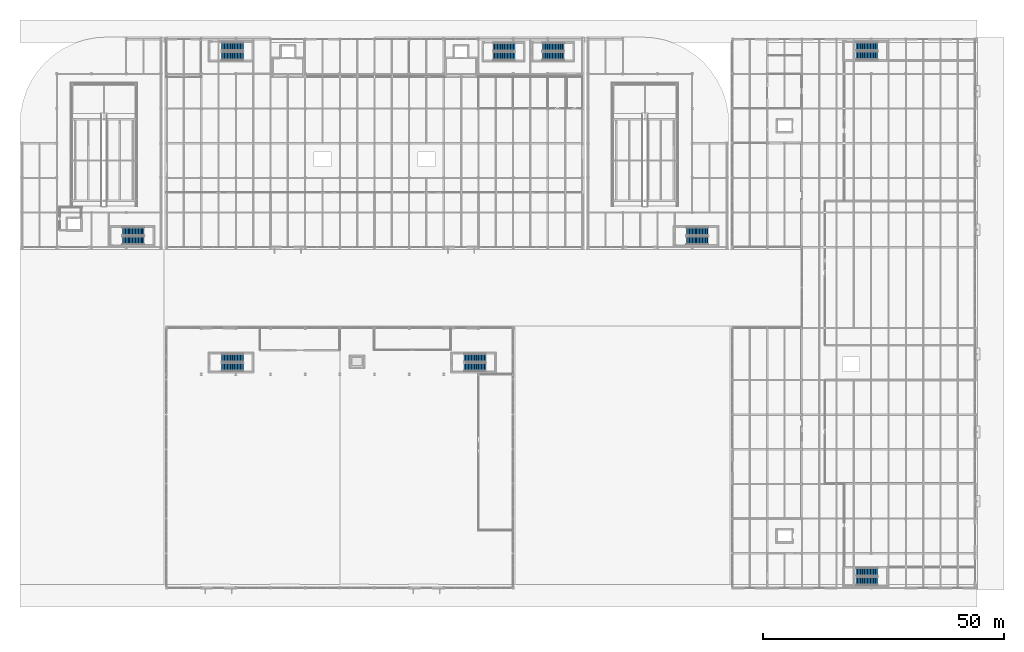
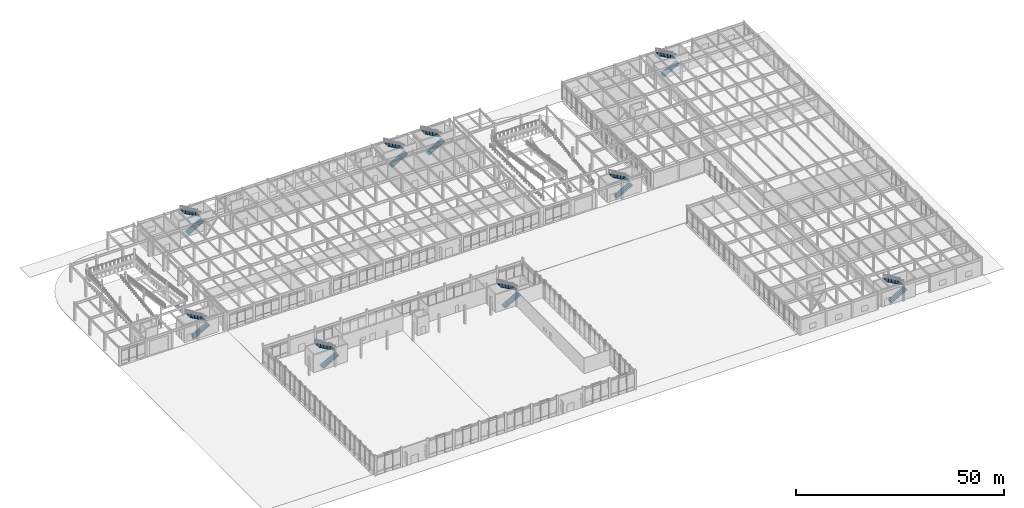
# One storey, part 80 of 104: 18 stair flights, 9 elements without a shape of their own.
"""IFC4 building model written with IfcOpenShell, lengths in metres."""

from ifc_helpers import new_model, si_unit, direction, frame, origin, place, context, subcontext, project, spatial, polyline, outline, extrude, material, layer, layer_set, type_object, element, aggregate, save


model = new_model("IFC4")

# Units and contexts
model_context = context("Model", 3, precision=1e-05, world=origin(), true_north=direction((0.0, 1.0)))
body_context = subcontext(model_context, "Body", "Model", "MODEL_VIEW")
ifc_project = project(units=[si_unit("LENGTHUNIT", "METRE"), si_unit("AREAUNIT", "SQUARE_METRE"), si_unit("VOLUMEUNIT", "CUBIC_METRE"), si_unit("PLANEANGLEUNIT", "RADIAN"), si_unit("MASSUNIT", "GRAM", prefix="KILO")], contexts=[model_context])

# Site, building, storey
site_placement = place(None, origin())
site = spatial("IfcSite", under=ifc_project, at=site_placement, CompositionType="ELEMENT")
building_placement = place(site_placement, origin())
building = spatial("IfcBuilding", under=site, at=building_placement, Name="Vaelcorin Mobility Hub", CompositionType="ELEMENT")
storey_placement = place(building_placement, origin())
storey = spatial("IfcBuildingStorey", under=building, at=storey_placement, Name="L00", CompositionType="ELEMENT", Elevation=0.0)

# Stair, stair flights
ifc_material = material(Name="Reinforced concrete f'c 45 MPa", Category="concrete")
stair_type_1 = type_object("IfcStairType", Name="STAIR-ST1", PredefinedType="HALF_TURN_STAIR", material=ifc_material)
stair_1_placement = place(storey_placement, origin())
stair_1 = element("IfcStair", 1, at=stair_1_placement, inside=storey, type_object=stair_type_1, Name="L00 Protected Exit Stair ST1", PredefinedType="HALF_TURN_STAIR")
ifc_layer_1 = layer(ifc_material, 0.2080078125)
ifc_layer_set_1 = layer_set([ifc_layer_1], Name="Reinforced concrete f'c 45 MPa")
stair_flight_type_1 = type_object("IfcStairFlightType", Name="FLT-ST1", PredefinedType="STRAIGHT", material=ifc_layer_set_1)
stair_flight_1_placement = place(storey_placement, frame((26.85009765625, 78.18994140625, 0.0), z_axis=(0.0, 0.0, 1.0), x_axis=(1.0, 0.0, 0.0)))
stair_flight_1 = element("IfcStairFlight", 2, at=stair_flight_1_placement, type_object=stair_flight_type_1, Name="ST1 flight 1", NumberOfRisers=16, NumberOfTreads=15, PredefinedType="STRAIGHT", RiserHeight=0.16875, TreadLength=0.3, context=body_context, shape_type="SweptSolid", body=[
    extrude(outline(polyline([(0.0, 0.0), (0.0, 0.168701171875), (0.300048828125, 0.168701171875), (0.300048828125, 0.33740234375), (0.60009765625, 0.33740234375), (0.60009765625, 0.50634765625), (0.89990234375, 0.50634765625), (0.89990234375, 0.675048828125), (1.199951171875, 0.675048828125), (1.199951171875, 0.84375), (1.5, 0.84375), (1.5, 1.012451171875), (1.800048828125, 1.012451171875), (1.800048828125, 1.18115234375), (2.10009765625, 1.18115234375), (2.10009765625, 1.35009765625), (2.39990234375, 1.35009765625), (2.39990234375, 1.518798828125), (2.699951171875, 1.518798828125), (2.699951171875, 1.6875), (3.0, 1.6875), (3.0, 1.856201171875), (3.300048828125, 1.856201171875), (3.300048828125, 2.02490234375), (3.60009765625, 2.02490234375), (3.60009765625, 2.19384765625), (3.89990234375, 2.19384765625), (3.89990234375, 2.362548828125), (4.199951171875, 2.362548828125), (4.199951171875, 2.53125), (4.5, 2.53125), (4.5, 2.699951171875), (4.5, 2.34765625), (0.326171875, 0.0), (0.0, 0.0)])), frame((0.0, 0.83984375, 0.0), z_axis=(0.0, -1.0, 0.0), x_axis=(1.0, 0.0, 0.0)), (0.0, 0.0, 1.0), 1.679931640625),
])
stair_flight_2_placement = place(storey_placement, frame((31.35009765625, 80.070068359375, 2.699951171875), z_axis=(0.0, 0.0, 1.0), x_axis=(-1.0, 0.0, 0.0)))
stair_flight_2 = element("IfcStairFlight", 3, at=stair_flight_2_placement, type_object=stair_flight_type_1, Name="ST1 flight 2", NumberOfRisers=16, NumberOfTreads=15, PredefinedType="STRAIGHT", RiserHeight=0.16875, TreadLength=0.3, context=body_context, shape_type="SweptSolid", body=[
    extrude(outline(polyline([(0.0, 0.0), (0.0, 0.168701171875), (0.300048828125, 0.168701171875), (0.300048828125, 0.33740234375), (0.60009765625, 0.33740234375), (0.60009765625, 0.50634765625), (0.89990234375, 0.50634765625), (0.89990234375, 0.675048828125), (1.199951171875, 0.675048828125), (1.199951171875, 0.84375), (1.5, 0.84375), (1.5, 1.012451171875), (1.800048828125, 1.012451171875), (1.800048828125, 1.18115234375), (2.10009765625, 1.18115234375), (2.10009765625, 1.35009765625), (2.39990234375, 1.35009765625), (2.39990234375, 1.518798828125), (2.699951171875, 1.518798828125), (2.699951171875, 1.6875), (3.0, 1.6875), (3.0, 1.856201171875), (3.300048828125, 1.856201171875), (3.300048828125, 2.02490234375), (3.60009765625, 2.02490234375), (3.60009765625, 2.19384765625), (3.89990234375, 2.19384765625), (3.89990234375, 2.362548828125), (4.199951171875, 2.362548828125), (4.199951171875, 2.53125), (4.5, 2.53125), (4.5, 2.699951171875), (4.5, 2.34765625), (0.326171875, 0.0), (0.0, 0.0)])), frame((0.0, 0.83984375, 0.0), z_axis=(0.0, -1.0, 0.0), x_axis=(1.0, 0.0, 0.0)), (0.0, 0.0, 1.0), 1.679931640625),
])
aggregate(stair_1, [stair_flight_1, stair_flight_2])

stair_type_2 = type_object("IfcStairType", Name="STAIR-ST2", PredefinedType="HALF_TURN_STAIR", material=ifc_material)
stair_2_placement = place(storey_placement, origin())
stair_2 = element("IfcStair", 4, at=stair_2_placement, inside=storey, type_object=stair_type_2, Name="L00 Protected Exit Stair ST2", PredefinedType="HALF_TURN_STAIR")
ifc_layer_2 = layer(ifc_material, 0.216064453125)
ifc_layer_set_2 = layer_set([ifc_layer_2], Name="Reinforced concrete f'c 45 MPa")
stair_flight_type_2 = type_object("IfcStairFlightType", Name="FLT-ST2", PredefinedType="STRAIGHT", material=ifc_layer_set_2)
stair_flight_3_placement = place(storey_placement, frame((144.050048828125, 78.18994140625, 0.0), z_axis=(0.0, 0.0, 1.0), x_axis=(1.0, 0.0, 0.0)))
stair_flight_3 = element("IfcStairFlight", 5, at=stair_flight_3_placement, type_object=stair_flight_type_2, Name="ST2 flight 1", NumberOfRisers=16, NumberOfTreads=15, PredefinedType="STRAIGHT", RiserHeight=0.16875, TreadLength=0.3, context=body_context, shape_type="SweptSolid", body=[
    extrude(outline(polyline([(0.0, 0.0), (0.0, 0.168701171875), (0.300048828125, 0.168701171875), (0.300048828125, 0.33740234375), (0.60009765625, 0.33740234375), (0.60009765625, 0.50634765625), (0.89990234375, 0.50634765625), (0.89990234375, 0.675048828125), (1.199951171875, 0.675048828125), (1.199951171875, 0.84375), (1.5, 0.84375), (1.5, 1.012451171875), (1.800048828125, 1.012451171875), (1.800048828125, 1.18115234375), (2.10009765625, 1.18115234375), (2.10009765625, 1.35009765625), (2.39990234375, 1.35009765625), (2.39990234375, 1.518798828125), (2.699951171875, 1.518798828125), (2.699951171875, 1.6875), (3.0, 1.6875), (3.0, 1.856201171875), (3.300048828125, 1.856201171875), (3.300048828125, 2.02490234375), (3.60009765625, 2.02490234375), (3.60009765625, 2.19384765625), (3.89990234375, 2.19384765625), (3.89990234375, 2.362548828125), (4.199951171875, 2.362548828125), (4.199951171875, 2.53125), (4.5, 2.53125), (4.5, 2.699951171875), (4.5, 2.34765625), (0.326171875, 0.0), (0.0, 0.0)])), frame((0.0, 0.83984375, 0.0), z_axis=(0.0, -1.0, 0.0), x_axis=(1.0, 0.0, 0.0)), (0.0, 0.0, 1.0), 1.679931640625),
])
stair_flight_4_placement = place(storey_placement, frame((148.550048828125, 80.070068359375, 2.699951171875), z_axis=(0.0, 0.0, 1.0), x_axis=(-1.0, 0.0, 0.0)))
stair_flight_4 = element("IfcStairFlight", 6, at=stair_flight_4_placement, type_object=stair_flight_type_2, Name="ST2 flight 2", NumberOfRisers=16, NumberOfTreads=15, PredefinedType="STRAIGHT", RiserHeight=0.16875, TreadLength=0.3, context=body_context, shape_type="SweptSolid", body=[
    extrude(outline(polyline([(0.0, 0.0), (0.0, 0.168701171875), (0.300048828125, 0.168701171875), (0.300048828125, 0.33740234375), (0.60009765625, 0.33740234375), (0.60009765625, 0.50634765625), (0.89990234375, 0.50634765625), (0.89990234375, 0.675048828125), (1.199951171875, 0.675048828125), (1.199951171875, 0.84375), (1.5, 0.84375), (1.5, 1.012451171875), (1.800048828125, 1.012451171875), (1.800048828125, 1.18115234375), (2.10009765625, 1.18115234375), (2.10009765625, 1.35009765625), (2.39990234375, 1.35009765625), (2.39990234375, 1.518798828125), (2.699951171875, 1.518798828125), (2.699951171875, 1.6875), (3.0, 1.6875), (3.0, 1.856201171875), (3.300048828125, 1.856201171875), (3.300048828125, 2.02490234375), (3.60009765625, 2.02490234375), (3.60009765625, 2.19384765625), (3.89990234375, 2.19384765625), (3.89990234375, 2.362548828125), (4.199951171875, 2.362548828125), (4.199951171875, 2.53125), (4.5, 2.53125), (4.5, 2.699951171875), (4.5, 2.34765625), (0.326171875, 0.0), (0.0, 0.0)])), frame((0.0, 0.83984375, 0.0), z_axis=(0.0, -1.0, 0.0), x_axis=(1.0, 0.0, 0.0)), (0.0, 0.0, 1.0), 1.679931640625),
])
aggregate(stair_2, [stair_flight_3, stair_flight_4])

stair_type_3 = type_object("IfcStairType", Name="STAIR-ST3", PredefinedType="HALF_TURN_STAIR", material=ifc_material)
stair_3_placement = place(storey_placement, origin())
stair_3 = element("IfcStair", 7, at=stair_3_placement, inside=storey, type_object=stair_type_3, Name="L00 Protected Exit Stair ST3", PredefinedType="HALF_TURN_STAIR")
ifc_layer_3 = layer(ifc_material, 0.22412109375)
ifc_layer_set_3 = layer_set([ifc_layer_3], Name="Reinforced concrete f'c 45 MPa")
stair_flight_type_3 = type_object("IfcStairFlightType", Name="FLT-ST3", PredefinedType="STRAIGHT", material=ifc_layer_set_3)
stair_flight_5_placement = place(storey_placement, frame((47.449951171875, 116.52001953125, 0.0), z_axis=(0.0, 0.0, 1.0), x_axis=(1.0, 0.0, 0.0)))
stair_flight_5 = element("IfcStairFlight", 8, at=stair_flight_5_placement, type_object=stair_flight_type_3, Name="ST3 flight 1", NumberOfRisers=16, NumberOfTreads=15, PredefinedType="STRAIGHT", RiserHeight=0.16875, TreadLength=0.3, context=body_context, shape_type="SweptSolid", body=[
    extrude(outline(polyline([(0.0, 0.0), (0.0, 0.168701171875), (0.300048828125, 0.168701171875), (0.300048828125, 0.33740234375), (0.60009765625, 0.33740234375), (0.60009765625, 0.50634765625), (0.89990234375, 0.50634765625), (0.89990234375, 0.675048828125), (1.199951171875, 0.675048828125), (1.199951171875, 0.84375), (1.5, 0.84375), (1.5, 1.012451171875), (1.800048828125, 1.012451171875), (1.800048828125, 1.18115234375), (2.10009765625, 1.18115234375), (2.10009765625, 1.35009765625), (2.39990234375, 1.35009765625), (2.39990234375, 1.518798828125), (2.699951171875, 1.518798828125), (2.699951171875, 1.6875), (3.0, 1.6875), (3.0, 1.856201171875), (3.300048828125, 1.856201171875), (3.300048828125, 2.02490234375), (3.60009765625, 2.02490234375), (3.60009765625, 2.19384765625), (3.89990234375, 2.19384765625), (3.89990234375, 2.362548828125), (4.199951171875, 2.362548828125), (4.199951171875, 2.53125), (4.5, 2.53125), (4.5, 2.699951171875), (4.5, 2.34765625), (0.326171875, 0.0), (0.0, 0.0)])), frame((0.0, 0.8701171875, 0.0), z_axis=(0.0, -1.0, 0.0), x_axis=(1.0, 0.0, 0.0)), (0.0, 0.0, 1.0), 1.739990234375),
])
stair_flight_6_placement = place(storey_placement, frame((51.949951171875, 118.4599609375, 2.699951171875), z_axis=(0.0, 0.0, 1.0), x_axis=(-1.0, 0.0, 0.0)))
stair_flight_6 = element("IfcStairFlight", 9, at=stair_flight_6_placement, type_object=stair_flight_type_3, Name="ST3 flight 2", NumberOfRisers=16, NumberOfTreads=15, PredefinedType="STRAIGHT", RiserHeight=0.16875, TreadLength=0.3, context=body_context, shape_type="SweptSolid", body=[
    extrude(outline(polyline([(0.0, 0.0), (0.0, 0.168701171875), (0.300048828125, 0.168701171875), (0.300048828125, 0.33740234375), (0.60009765625, 0.33740234375), (0.60009765625, 0.50634765625), (0.89990234375, 0.50634765625), (0.89990234375, 0.675048828125), (1.199951171875, 0.675048828125), (1.199951171875, 0.84375), (1.5, 0.84375), (1.5, 1.012451171875), (1.800048828125, 1.012451171875), (1.800048828125, 1.18115234375), (2.10009765625, 1.18115234375), (2.10009765625, 1.35009765625), (2.39990234375, 1.35009765625), (2.39990234375, 1.518798828125), (2.699951171875, 1.518798828125), (2.699951171875, 1.6875), (3.0, 1.6875), (3.0, 1.856201171875), (3.300048828125, 1.856201171875), (3.300048828125, 2.02490234375), (3.60009765625, 2.02490234375), (3.60009765625, 2.19384765625), (3.89990234375, 2.19384765625), (3.89990234375, 2.362548828125), (4.199951171875, 2.362548828125), (4.199951171875, 2.53125), (4.5, 2.53125), (4.5, 2.699951171875), (4.5, 2.34765625), (0.326171875, 0.0), (0.0, 0.0)])), frame((0.0, 0.8701171875, 0.0), z_axis=(0.0, -1.0, 0.0), x_axis=(1.0, 0.0, 0.0)), (0.0, 0.0, 1.0), 1.739990234375),
])
aggregate(stair_3, [stair_flight_5, stair_flight_6])

stair_type_4 = type_object("IfcStairType", Name="STAIR-ST4", PredefinedType="HALF_TURN_STAIR", material=ifc_material)
stair_4_placement = place(storey_placement, origin())
stair_4 = element("IfcStair", 10, at=stair_4_placement, inside=storey, type_object=stair_type_4, Name="L00 Protected Exit Stair ST4", PredefinedType="HALF_TURN_STAIR")
ifc_layer_4 = layer(ifc_material, 0.23193359375)
ifc_layer_set_4 = layer_set([ifc_layer_4], Name="Reinforced concrete f'c 45 MPa")
stair_flight_type_4 = type_object("IfcStairFlightType", Name="FLT-ST4", PredefinedType="STRAIGHT", material=ifc_layer_set_4)
stair_flight_7_placement = place(storey_placement, frame((103.85009765625, 116.489990234375, 0.0), z_axis=(0.0, 0.0, 1.0), x_axis=(1.0, 0.0, 0.0)))
stair_flight_7 = element("IfcStairFlight", 11, at=stair_flight_7_placement, type_object=stair_flight_type_4, Name="ST4 flight 1", NumberOfRisers=16, NumberOfTreads=15, PredefinedType="STRAIGHT", RiserHeight=0.16875, TreadLength=0.3, context=body_context, shape_type="SweptSolid", body=[
    extrude(outline(polyline([(0.0, 0.0), (0.0, 0.168701171875), (0.300048828125, 0.168701171875), (0.300048828125, 0.33740234375), (0.60009765625, 0.33740234375), (0.60009765625, 0.50634765625), (0.89990234375, 0.50634765625), (0.89990234375, 0.675048828125), (1.199951171875, 0.675048828125), (1.199951171875, 0.84375), (1.5, 0.84375), (1.5, 1.012451171875), (1.800048828125, 1.012451171875), (1.800048828125, 1.18115234375), (2.10009765625, 1.18115234375), (2.10009765625, 1.35009765625), (2.39990234375, 1.35009765625), (2.39990234375, 1.518798828125), (2.699951171875, 1.518798828125), (2.699951171875, 1.6875), (3.0, 1.6875), (3.0, 1.856201171875), (3.300048828125, 1.856201171875), (3.300048828125, 2.02490234375), (3.60009765625, 2.02490234375), (3.60009765625, 2.19384765625), (3.89990234375, 2.19384765625), (3.89990234375, 2.362548828125), (4.199951171875, 2.362548828125), (4.199951171875, 2.53125), (4.5, 2.53125), (4.5, 2.699951171875), (4.5, 2.34765625), (0.326171875, 0.0), (0.0, 0.0)])), frame((0.0, 0.83984375, 0.0), z_axis=(0.0, -1.0, 0.0), x_axis=(1.0, 0.0, 0.0)), (0.0, 0.0, 1.0), 1.679931640625),
])
stair_flight_8_placement = place(storey_placement, frame((108.35009765625, 118.3701171875, 2.699951171875), z_axis=(0.0, 0.0, 1.0), x_axis=(-1.0, 0.0, 0.0)))
stair_flight_8 = element("IfcStairFlight", 12, at=stair_flight_8_placement, type_object=stair_flight_type_4, Name="ST4 flight 2", NumberOfRisers=16, NumberOfTreads=15, PredefinedType="STRAIGHT", RiserHeight=0.16875, TreadLength=0.3, context=body_context, shape_type="SweptSolid", body=[
    extrude(outline(polyline([(0.0, 0.0), (0.0, 0.168701171875), (0.300048828125, 0.168701171875), (0.300048828125, 0.33740234375), (0.60009765625, 0.33740234375), (0.60009765625, 0.50634765625), (0.89990234375, 0.50634765625), (0.89990234375, 0.675048828125), (1.199951171875, 0.675048828125), (1.199951171875, 0.84375), (1.5, 0.84375), (1.5, 1.012451171875), (1.800048828125, 1.012451171875), (1.800048828125, 1.18115234375), (2.10009765625, 1.18115234375), (2.10009765625, 1.35009765625), (2.39990234375, 1.35009765625), (2.39990234375, 1.518798828125), (2.699951171875, 1.518798828125), (2.699951171875, 1.6875), (3.0, 1.6875), (3.0, 1.856201171875), (3.300048828125, 1.856201171875), (3.300048828125, 2.02490234375), (3.60009765625, 2.02490234375), (3.60009765625, 2.19384765625), (3.89990234375, 2.19384765625), (3.89990234375, 2.362548828125), (4.199951171875, 2.362548828125), (4.199951171875, 2.53125), (4.5, 2.53125), (4.5, 2.699951171875), (4.5, 2.34765625), (0.326171875, 0.0), (0.0, 0.0)])), frame((0.0, 0.83984375, 0.0), z_axis=(0.0, -1.0, 0.0), x_axis=(1.0, 0.0, 0.0)), (0.0, 0.0, 1.0), 1.679931640625),
])
aggregate(stair_4, [stair_flight_7, stair_flight_8])

stair_type_5 = type_object("IfcStairType", Name="STAIR-ST5", PredefinedType="HALF_TURN_STAIR", material=ifc_material)
stair_5_placement = place(storey_placement, origin())
stair_5 = element("IfcStair", 13, at=stair_5_placement, inside=storey, type_object=stair_type_5, Name="L00 Protected Exit Stair ST5", PredefinedType="HALF_TURN_STAIR")
ifc_layer_5 = layer(ifc_material, 0.239990234375)
ifc_layer_set_5 = layer_set([ifc_layer_5], Name="Reinforced concrete f'c 45 MPa")
stair_flight_type_5 = type_object("IfcStairFlightType", Name="FLT-ST5", PredefinedType="STRAIGHT", material=ifc_layer_set_5)
stair_flight_9_placement = place(storey_placement, frame((179.25, 7.39990234375, 0.0), z_axis=(0.0, 0.0, 1.0), x_axis=(1.0, 0.0, 0.0)))
stair_flight_9 = element("IfcStairFlight", 14, at=stair_flight_9_placement, type_object=stair_flight_type_5, Name="ST5 flight 1", NumberOfRisers=16, NumberOfTreads=15, PredefinedType="STRAIGHT", RiserHeight=0.16875, TreadLength=0.3, context=body_context, shape_type="SweptSolid", body=[
    extrude(outline(polyline([(0.0, 0.0), (0.0, 0.168701171875), (0.300048828125, 0.168701171875), (0.300048828125, 0.33740234375), (0.60009765625, 0.33740234375), (0.60009765625, 0.50634765625), (0.89990234375, 0.50634765625), (0.89990234375, 0.675048828125), (1.199951171875, 0.675048828125), (1.199951171875, 0.84375), (1.5, 0.84375), (1.5, 1.012451171875), (1.800048828125, 1.012451171875), (1.800048828125, 1.18115234375), (2.10009765625, 1.18115234375), (2.10009765625, 1.35009765625), (2.39990234375, 1.35009765625), (2.39990234375, 1.518798828125), (2.699951171875, 1.518798828125), (2.699951171875, 1.6875), (3.0, 1.6875), (3.0, 1.856201171875), (3.300048828125, 1.856201171875), (3.300048828125, 2.02490234375), (3.60009765625, 2.02490234375), (3.60009765625, 2.19384765625), (3.89990234375, 2.19384765625), (3.89990234375, 2.362548828125), (4.199951171875, 2.362548828125), (4.199951171875, 2.53125), (4.5, 2.53125), (4.5, 2.699951171875), (4.5, 2.34765625), (0.326171875, 0.0), (0.0, 0.0)])), frame((0.0, 0.85009765625, 0.0), z_axis=(0.0, -1.0, 0.0), x_axis=(1.0, 0.0, 0.0)), (0.0, 0.0, 1.0), 1.699951171875),
])
stair_flight_10_placement = place(storey_placement, frame((183.75, 9.300048828125, 2.699951171875), z_axis=(0.0, 0.0, 1.0), x_axis=(-1.0, 0.0, 0.0)))
stair_flight_10 = element("IfcStairFlight", 15, at=stair_flight_10_placement, type_object=stair_flight_type_5, Name="ST5 flight 2", NumberOfRisers=16, NumberOfTreads=15, PredefinedType="STRAIGHT", RiserHeight=0.16875, TreadLength=0.3, context=body_context, shape_type="SweptSolid", body=[
    extrude(outline(polyline([(0.0, 0.0), (0.0, 0.168701171875), (0.300048828125, 0.168701171875), (0.300048828125, 0.33740234375), (0.60009765625, 0.33740234375), (0.60009765625, 0.50634765625), (0.89990234375, 0.50634765625), (0.89990234375, 0.675048828125), (1.199951171875, 0.675048828125), (1.199951171875, 0.84375), (1.5, 0.84375), (1.5, 1.012451171875), (1.800048828125, 1.012451171875), (1.800048828125, 1.18115234375), (2.10009765625, 1.18115234375), (2.10009765625, 1.35009765625), (2.39990234375, 1.35009765625), (2.39990234375, 1.518798828125), (2.699951171875, 1.518798828125), (2.699951171875, 1.6875), (3.0, 1.6875), (3.0, 1.856201171875), (3.300048828125, 1.856201171875), (3.300048828125, 2.02490234375), (3.60009765625, 2.02490234375), (3.60009765625, 2.19384765625), (3.89990234375, 2.19384765625), (3.89990234375, 2.362548828125), (4.199951171875, 2.362548828125), (4.199951171875, 2.53125), (4.5, 2.53125), (4.5, 2.699951171875), (4.5, 2.34765625), (0.326171875, 0.0), (0.0, 0.0)])), frame((0.0, 0.85009765625, 0.0), z_axis=(0.0, -1.0, 0.0), x_axis=(1.0, 0.0, 0.0)), (0.0, 0.0, 1.0), 1.699951171875),
])
aggregate(stair_5, [stair_flight_9, stair_flight_10])

stair_type_6 = type_object("IfcStairType", Name="STAIR-ST6", PredefinedType="HALF_TURN_STAIR", material=ifc_material)
stair_6_placement = place(storey_placement, origin())
stair_6 = element("IfcStair", 16, at=stair_6_placement, inside=storey, type_object=stair_type_6, Name="L00 Protected Exit Stair ST6", PredefinedType="HALF_TURN_STAIR")
ifc_layer_6 = layer(ifc_material, 0.248046875)
ifc_layer_set_6 = layer_set([ifc_layer_6], Name="Reinforced concrete f'c 45 MPa")
stair_flight_type_6 = type_object("IfcStairFlightType", Name="FLT-ST6", PredefinedType="STRAIGHT", material=ifc_layer_set_6)
stair_flight_11_placement = place(storey_placement, frame((179.25, 116.60009765625, 0.0), z_axis=(0.0, 0.0, 1.0), x_axis=(1.0, 0.0, 0.0)))
stair_flight_11 = element("IfcStairFlight", 17, at=stair_flight_11_placement, type_object=stair_flight_type_6, Name="ST6 flight 1", NumberOfRisers=16, NumberOfTreads=15, PredefinedType="STRAIGHT", RiserHeight=0.16875, TreadLength=0.3, context=body_context, shape_type="SweptSolid", body=[
    extrude(outline(polyline([(0.0, 0.0), (0.0, 0.168701171875), (0.300048828125, 0.168701171875), (0.300048828125, 0.33740234375), (0.60009765625, 0.33740234375), (0.60009765625, 0.50634765625), (0.89990234375, 0.50634765625), (0.89990234375, 0.675048828125), (1.199951171875, 0.675048828125), (1.199951171875, 0.84375), (1.5, 0.84375), (1.5, 1.012451171875), (1.800048828125, 1.012451171875), (1.800048828125, 1.18115234375), (2.10009765625, 1.18115234375), (2.10009765625, 1.35009765625), (2.39990234375, 1.35009765625), (2.39990234375, 1.518798828125), (2.699951171875, 1.518798828125), (2.699951171875, 1.6875), (3.0, 1.6875), (3.0, 1.856201171875), (3.300048828125, 1.856201171875), (3.300048828125, 2.02490234375), (3.60009765625, 2.02490234375), (3.60009765625, 2.19384765625), (3.89990234375, 2.19384765625), (3.89990234375, 2.362548828125), (4.199951171875, 2.362548828125), (4.199951171875, 2.53125), (4.5, 2.53125), (4.5, 2.699951171875), (4.5, 2.34765625), (0.326171875, 0.0), (0.0, 0.0)])), frame((0.0, 0.85009765625, 0.0), z_axis=(0.0, -1.0, 0.0), x_axis=(1.0, 0.0, 0.0)), (0.0, 0.0, 1.0), 1.699951171875),
])
stair_flight_12_placement = place(storey_placement, frame((183.75, 118.5, 2.699951171875), z_axis=(0.0, 0.0, 1.0), x_axis=(-1.0, 0.0, 0.0)))
stair_flight_12 = element("IfcStairFlight", 18, at=stair_flight_12_placement, type_object=stair_flight_type_6, Name="ST6 flight 2", NumberOfRisers=16, NumberOfTreads=15, PredefinedType="STRAIGHT", RiserHeight=0.16875, TreadLength=0.3, context=body_context, shape_type="SweptSolid", body=[
    extrude(outline(polyline([(0.0, 0.0), (0.0, 0.168701171875), (0.300048828125, 0.168701171875), (0.300048828125, 0.33740234375), (0.60009765625, 0.33740234375), (0.60009765625, 0.50634765625), (0.89990234375, 0.50634765625), (0.89990234375, 0.675048828125), (1.199951171875, 0.675048828125), (1.199951171875, 0.84375), (1.5, 0.84375), (1.5, 1.012451171875), (1.800048828125, 1.012451171875), (1.800048828125, 1.18115234375), (2.10009765625, 1.18115234375), (2.10009765625, 1.35009765625), (2.39990234375, 1.35009765625), (2.39990234375, 1.518798828125), (2.699951171875, 1.518798828125), (2.699951171875, 1.6875), (3.0, 1.6875), (3.0, 1.856201171875), (3.300048828125, 1.856201171875), (3.300048828125, 2.02490234375), (3.60009765625, 2.02490234375), (3.60009765625, 2.19384765625), (3.89990234375, 2.19384765625), (3.89990234375, 2.362548828125), (4.199951171875, 2.362548828125), (4.199951171875, 2.53125), (4.5, 2.53125), (4.5, 2.699951171875), (4.5, 2.34765625), (0.326171875, 0.0), (0.0, 0.0)])), frame((0.0, 0.85009765625, 0.0), z_axis=(0.0, -1.0, 0.0), x_axis=(1.0, 0.0, 0.0)), (0.0, 0.0, 1.0), 1.699951171875),
])
aggregate(stair_6, [stair_flight_11, stair_flight_12])

stair_type_7 = type_object("IfcStairType", Name="STAIR-ST7", PredefinedType="HALF_TURN_STAIR", material=ifc_material)
stair_7_placement = place(storey_placement, origin())
stair_7 = element("IfcStair", 19, at=stair_7_placement, inside=storey, type_object=stair_type_7, Name="L00 Protected Exit Stair ST7", PredefinedType="HALF_TURN_STAIR")
ifc_layer_7 = layer(ifc_material, 0.256103515625)
ifc_layer_set_7 = layer_set([ifc_layer_7], Name="Reinforced concrete f'c 45 MPa")
stair_flight_type_7 = type_object("IfcStairFlightType", Name="FLT-ST7", PredefinedType="STRAIGHT", material=ifc_layer_set_7)
stair_flight_13_placement = place(storey_placement, frame((47.449951171875, 51.860107421875, 0.0), z_axis=(0.0, 0.0, 1.0), x_axis=(1.0, 0.0, 0.0)))
stair_flight_13 = element("IfcStairFlight", 20, at=stair_flight_13_placement, type_object=stair_flight_type_7, Name="ST7 flight 1", NumberOfRisers=16, NumberOfTreads=15, PredefinedType="STRAIGHT", RiserHeight=0.16875, TreadLength=0.3, context=body_context, shape_type="SweptSolid", body=[
    extrude(outline(polyline([(0.0, 0.0), (0.0, 0.168701171875), (0.300048828125, 0.168701171875), (0.300048828125, 0.33740234375), (0.60009765625, 0.33740234375), (0.60009765625, 0.50634765625), (0.89990234375, 0.50634765625), (0.89990234375, 0.675048828125), (1.199951171875, 0.675048828125), (1.199951171875, 0.84375), (1.5, 0.84375), (1.5, 1.012451171875), (1.800048828125, 1.012451171875), (1.800048828125, 1.18115234375), (2.10009765625, 1.18115234375), (2.10009765625, 1.35009765625), (2.39990234375, 1.35009765625), (2.39990234375, 1.518798828125), (2.699951171875, 1.518798828125), (2.699951171875, 1.6875), (3.0, 1.6875), (3.0, 1.856201171875), (3.300048828125, 1.856201171875), (3.300048828125, 2.02490234375), (3.60009765625, 2.02490234375), (3.60009765625, 2.19384765625), (3.89990234375, 2.19384765625), (3.89990234375, 2.362548828125), (4.199951171875, 2.362548828125), (4.199951171875, 2.53125), (4.5, 2.53125), (4.5, 2.699951171875), (4.5, 2.34765625), (0.326171875, 0.0), (0.0, 0.0)])), frame((0.0, 0.85986328125, 0.0), z_axis=(0.0, -1.0, 0.0), x_axis=(1.0, 0.0, 0.0)), (0.0, 0.0, 1.0), 1.719970703125),
])
stair_flight_14_placement = place(storey_placement, frame((51.949951171875, 53.780029296875, 2.699951171875), z_axis=(0.0, 0.0, 1.0), x_axis=(-1.0, 0.0, 0.0)))
stair_flight_14 = element("IfcStairFlight", 21, at=stair_flight_14_placement, type_object=stair_flight_type_7, Name="ST7 flight 2", NumberOfRisers=16, NumberOfTreads=15, PredefinedType="STRAIGHT", RiserHeight=0.16875, TreadLength=0.3, context=body_context, shape_type="SweptSolid", body=[
    extrude(outline(polyline([(0.0, 0.0), (0.0, 0.168701171875), (0.300048828125, 0.168701171875), (0.300048828125, 0.33740234375), (0.60009765625, 0.33740234375), (0.60009765625, 0.50634765625), (0.89990234375, 0.50634765625), (0.89990234375, 0.675048828125), (1.199951171875, 0.675048828125), (1.199951171875, 0.84375), (1.5, 0.84375), (1.5, 1.012451171875), (1.800048828125, 1.012451171875), (1.800048828125, 1.18115234375), (2.10009765625, 1.18115234375), (2.10009765625, 1.35009765625), (2.39990234375, 1.35009765625), (2.39990234375, 1.518798828125), (2.699951171875, 1.518798828125), (2.699951171875, 1.6875), (3.0, 1.6875), (3.0, 1.856201171875), (3.300048828125, 1.856201171875), (3.300048828125, 2.02490234375), (3.60009765625, 2.02490234375), (3.60009765625, 2.19384765625), (3.89990234375, 2.19384765625), (3.89990234375, 2.362548828125), (4.199951171875, 2.362548828125), (4.199951171875, 2.53125), (4.5, 2.53125), (4.5, 2.699951171875), (4.5, 2.34765625), (0.326171875, 0.0), (0.0, 0.0)])), frame((0.0, 0.85986328125, 0.0), z_axis=(0.0, -1.0, 0.0), x_axis=(1.0, 0.0, 0.0)), (0.0, 0.0, 1.0), 1.719970703125),
])
aggregate(stair_7, [stair_flight_13, stair_flight_14])

stair_type_8 = type_object("IfcStairType", Name="STAIR-ST8", PredefinedType="HALF_TURN_STAIR", material=ifc_material)
stair_8_placement = place(storey_placement, origin())
stair_8 = element("IfcStair", 22, at=stair_8_placement, inside=storey, type_object=stair_type_8, Name="L00 Protected Exit Stair ST8", PredefinedType="HALF_TURN_STAIR")
ifc_layer_8 = layer(ifc_material, 0.263916015625)
ifc_layer_set_8 = layer_set([ifc_layer_8], Name="Reinforced concrete f'c 45 MPa")
stair_flight_type_8 = type_object("IfcStairFlightType", Name="FLT-ST8", PredefinedType="STRAIGHT", material=ifc_layer_set_8)
stair_flight_15_placement = place(storey_placement, frame((97.85009765625, 51.860107421875, 0.0), z_axis=(0.0, 0.0, 1.0), x_axis=(1.0, 0.0, 0.0)))
stair_flight_15 = element("IfcStairFlight", 23, at=stair_flight_15_placement, type_object=stair_flight_type_8, Name="ST8 flight 1", NumberOfRisers=16, NumberOfTreads=15, PredefinedType="STRAIGHT", RiserHeight=0.16875, TreadLength=0.3, context=body_context, shape_type="SweptSolid", body=[
    extrude(outline(polyline([(0.0, 0.0), (0.0, 0.168701171875), (0.300048828125, 0.168701171875), (0.300048828125, 0.33740234375), (0.60009765625, 0.33740234375), (0.60009765625, 0.50634765625), (0.89990234375, 0.50634765625), (0.89990234375, 0.675048828125), (1.199951171875, 0.675048828125), (1.199951171875, 0.84375), (1.5, 0.84375), (1.5, 1.012451171875), (1.800048828125, 1.012451171875), (1.800048828125, 1.18115234375), (2.10009765625, 1.18115234375), (2.10009765625, 1.35009765625), (2.39990234375, 1.35009765625), (2.39990234375, 1.518798828125), (2.699951171875, 1.518798828125), (2.699951171875, 1.6875), (3.0, 1.6875), (3.0, 1.856201171875), (3.300048828125, 1.856201171875), (3.300048828125, 2.02490234375), (3.60009765625, 2.02490234375), (3.60009765625, 2.19384765625), (3.89990234375, 2.19384765625), (3.89990234375, 2.362548828125), (4.199951171875, 2.362548828125), (4.199951171875, 2.53125), (4.5, 2.53125), (4.5, 2.699951171875), (4.5, 2.34765625), (0.326171875, 0.0), (0.0, 0.0)])), frame((0.0, 0.85986328125, 0.0), z_axis=(0.0, -1.0, 0.0), x_axis=(1.0, 0.0, 0.0)), (0.0, 0.0, 1.0), 1.719970703125),
])
stair_flight_16_placement = place(storey_placement, frame((102.35009765625, 53.780029296875, 2.699951171875), z_axis=(0.0, 0.0, 1.0), x_axis=(-1.0, 0.0, 0.0)))
stair_flight_16 = element("IfcStairFlight", 24, at=stair_flight_16_placement, type_object=stair_flight_type_8, Name="ST8 flight 2", NumberOfRisers=16, NumberOfTreads=15, PredefinedType="STRAIGHT", RiserHeight=0.16875, TreadLength=0.3, context=body_context, shape_type="SweptSolid", body=[
    extrude(outline(polyline([(0.0, 0.0), (0.0, 0.168701171875), (0.300048828125, 0.168701171875), (0.300048828125, 0.33740234375), (0.60009765625, 0.33740234375), (0.60009765625, 0.50634765625), (0.89990234375, 0.50634765625), (0.89990234375, 0.675048828125), (1.199951171875, 0.675048828125), (1.199951171875, 0.84375), (1.5, 0.84375), (1.5, 1.012451171875), (1.800048828125, 1.012451171875), (1.800048828125, 1.18115234375), (2.10009765625, 1.18115234375), (2.10009765625, 1.35009765625), (2.39990234375, 1.35009765625), (2.39990234375, 1.518798828125), (2.699951171875, 1.518798828125), (2.699951171875, 1.6875), (3.0, 1.6875), (3.0, 1.856201171875), (3.300048828125, 1.856201171875), (3.300048828125, 2.02490234375), (3.60009765625, 2.02490234375), (3.60009765625, 2.19384765625), (3.89990234375, 2.19384765625), (3.89990234375, 2.362548828125), (4.199951171875, 2.362548828125), (4.199951171875, 2.53125), (4.5, 2.53125), (4.5, 2.699951171875), (4.5, 2.34765625), (0.326171875, 0.0), (0.0, 0.0)])), frame((0.0, 0.85986328125, 0.0), z_axis=(0.0, -1.0, 0.0), x_axis=(1.0, 0.0, 0.0)), (0.0, 0.0, 1.0), 1.719970703125),
])
aggregate(stair_8, [stair_flight_15, stair_flight_16])

stair_type_9 = type_object("IfcStairType", Name="STAIR-ST9", PredefinedType="HALF_TURN_STAIR", material=ifc_material)
stair_9_placement = place(storey_placement, origin())
stair_9 = element("IfcStair", 25, at=stair_9_placement, inside=storey, type_object=stair_type_9, Name="L00 Protected Exit Stair ST9", PredefinedType="HALF_TURN_STAIR")
ifc_layer_9 = layer(ifc_material, 0.27197265625)
ifc_layer_set_9 = layer_set([ifc_layer_9], Name="Reinforced concrete f'c 45 MPa")
stair_flight_type_9 = type_object("IfcStairFlightType", Name="FLT-ST9", PredefinedType="STRAIGHT", material=ifc_layer_set_9)
stair_flight_17_placement = place(storey_placement, frame((114.10009765625, 116.489990234375, 0.0), z_axis=(0.0, 0.0, 1.0), x_axis=(1.0, 0.0, 0.0)))
stair_flight_17 = element("IfcStairFlight", 26, at=stair_flight_17_placement, type_object=stair_flight_type_9, Name="ST9 flight 1", NumberOfRisers=16, NumberOfTreads=15, PredefinedType="STRAIGHT", RiserHeight=0.16875, TreadLength=0.3, context=body_context, shape_type="SweptSolid", body=[
    extrude(outline(polyline([(0.0, 0.0), (0.0, 0.168701171875), (0.300048828125, 0.168701171875), (0.300048828125, 0.33740234375), (0.60009765625, 0.33740234375), (0.60009765625, 0.50634765625), (0.89990234375, 0.50634765625), (0.89990234375, 0.675048828125), (1.199951171875, 0.675048828125), (1.199951171875, 0.84375), (1.5, 0.84375), (1.5, 1.012451171875), (1.800048828125, 1.012451171875), (1.800048828125, 1.18115234375), (2.10009765625, 1.18115234375), (2.10009765625, 1.35009765625), (2.39990234375, 1.35009765625), (2.39990234375, 1.518798828125), (2.699951171875, 1.518798828125), (2.699951171875, 1.6875), (3.0, 1.6875), (3.0, 1.856201171875), (3.300048828125, 1.856201171875), (3.300048828125, 2.02490234375), (3.60009765625, 2.02490234375), (3.60009765625, 2.19384765625), (3.89990234375, 2.19384765625), (3.89990234375, 2.362548828125), (4.199951171875, 2.362548828125), (4.199951171875, 2.53125), (4.5, 2.53125), (4.5, 2.699951171875), (4.5, 2.34765625), (0.326171875, 0.0), (0.0, 0.0)])), frame((0.0, 0.83984375, 0.0), z_axis=(0.0, -1.0, 0.0), x_axis=(1.0, 0.0, 0.0)), (0.0, 0.0, 1.0), 1.679931640625),
])
stair_flight_18_placement = place(storey_placement, frame((118.60009765625, 118.3701171875, 2.699951171875), z_axis=(0.0, 0.0, 1.0), x_axis=(-1.0, 0.0, 0.0)))
stair_flight_18 = element("IfcStairFlight", 27, at=stair_flight_18_placement, type_object=stair_flight_type_9, Name="ST9 flight 2", NumberOfRisers=16, NumberOfTreads=15, PredefinedType="STRAIGHT", RiserHeight=0.16875, TreadLength=0.3, context=body_context, shape_type="SweptSolid", body=[
    extrude(outline(polyline([(0.0, 0.0), (0.0, 0.168701171875), (0.300048828125, 0.168701171875), (0.300048828125, 0.33740234375), (0.60009765625, 0.33740234375), (0.60009765625, 0.50634765625), (0.89990234375, 0.50634765625), (0.89990234375, 0.675048828125), (1.199951171875, 0.675048828125), (1.199951171875, 0.84375), (1.5, 0.84375), (1.5, 1.012451171875), (1.800048828125, 1.012451171875), (1.800048828125, 1.18115234375), (2.10009765625, 1.18115234375), (2.10009765625, 1.35009765625), (2.39990234375, 1.35009765625), (2.39990234375, 1.518798828125), (2.699951171875, 1.518798828125), (2.699951171875, 1.6875), (3.0, 1.6875), (3.0, 1.856201171875), (3.300048828125, 1.856201171875), (3.300048828125, 2.02490234375), (3.60009765625, 2.02490234375), (3.60009765625, 2.19384765625), (3.89990234375, 2.19384765625), (3.89990234375, 2.362548828125), (4.199951171875, 2.362548828125), (4.199951171875, 2.53125), (4.5, 2.53125), (4.5, 2.699951171875), (4.5, 2.34765625), (0.326171875, 0.0), (0.0, 0.0)])), frame((0.0, 0.83984375, 0.0), z_axis=(0.0, -1.0, 0.0), x_axis=(1.0, 0.0, 0.0)), (0.0, 0.0, 1.0), 1.679931640625),
])
aggregate(stair_9, [stair_flight_17, stair_flight_18])

save(model, "model.ifc")
